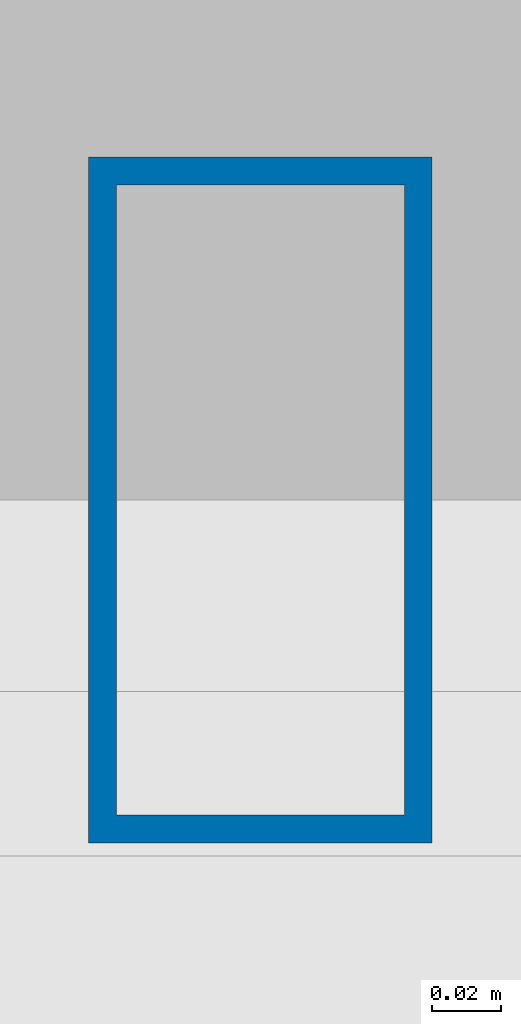
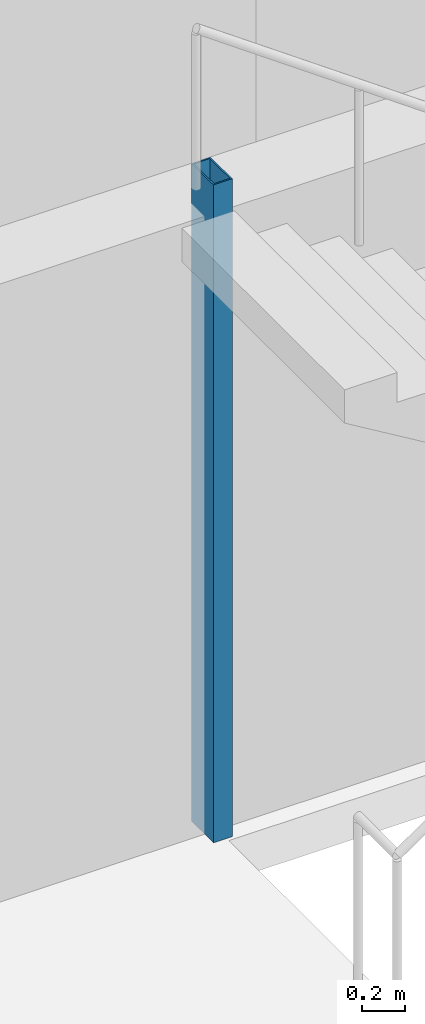
# One storey, part 2 of 18: 1 column.
"""IFC4 building model written with IfcOpenShell, lengths in metres."""

from ifc_helpers import new_model, si_unit, direction, frame, origin, origin_2d, place, context, subcontext, project, spatial, hollow_rectangle, extrude, material, material_profile, profile_set, type_object, element, save


model = new_model("IFC4")

# Units and contexts
model_context = context("Model", 3, precision=1e-05, world=origin(), true_north=direction((0.0, 1.0)))
body_context = subcontext(model_context, "Body", "Model", "MODEL_VIEW")
ifc_project = project(units=[si_unit("LENGTHUNIT", "METRE"), si_unit("AREAUNIT", "SQUARE_METRE"), si_unit("VOLUMEUNIT", "CUBIC_METRE"), si_unit("PLANEANGLEUNIT", "RADIAN"), si_unit("MASSUNIT", "GRAM", prefix="KILO")], contexts=[model_context])

# Site, building, storey
site_placement = place(None, origin())
site = spatial("IfcSite", under=ifc_project, at=site_placement, CompositionType="ELEMENT")
building_placement = place(site_placement, origin())
building = spatial("IfcBuilding", under=site, at=building_placement, Name="Menara Jurai Vektor", CompositionType="ELEMENT")
storey_placement = place(building_placement, frame((0.0, 0.0, 124.39990234375)))
storey = spatial("IfcBuildingStorey", under=building, at=storey_placement, Name="L31", CompositionType="ELEMENT", Elevation=124.39990234375)

# Column
ifc_material = material(Name="Steel S355", Category="steel")
ifc_material_profile = material_profile(ifc_material, hollow_rectangle(XDim=0.10009765625, YDim=0.199951171875, WallThickness=0.008056640625, at=origin_2d()), Name="RHS 200x100x8")
ifc_profile_set = profile_set([ifc_material_profile], Name="Steel S355")
column_type = type_object("IfcColumnType", Name="STR-COL-STAIR", PredefinedType="COLUMN", material=ifc_profile_set)
column_placement = place(storey_placement, frame((-11.1201171875, 5.419921875, 0.0), z_axis=(0.0, 0.0, 1.0), x_axis=(1.0, 0.0, 0.0)))
element("IfcColumn", 1, at=column_placement, inside=storey, type_object=column_type, Name="Stair Well Header Column ST1-P2 L31", PredefinedType="COLUMN", context=body_context, shape_type="SweptSolid", body=[
    extrude(hollow_rectangle(XDim=0.10009765625, YDim=0.199951171875, WallThickness=0.008056640625, at=origin_2d()), origin(), (0.0, 0.0, 1.0), 3.7001953125),
])

save(model, "model.ifc")
